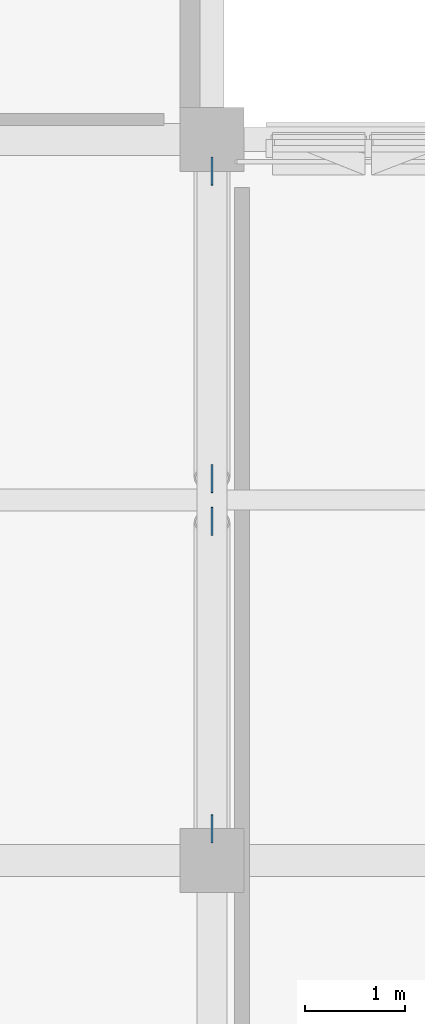
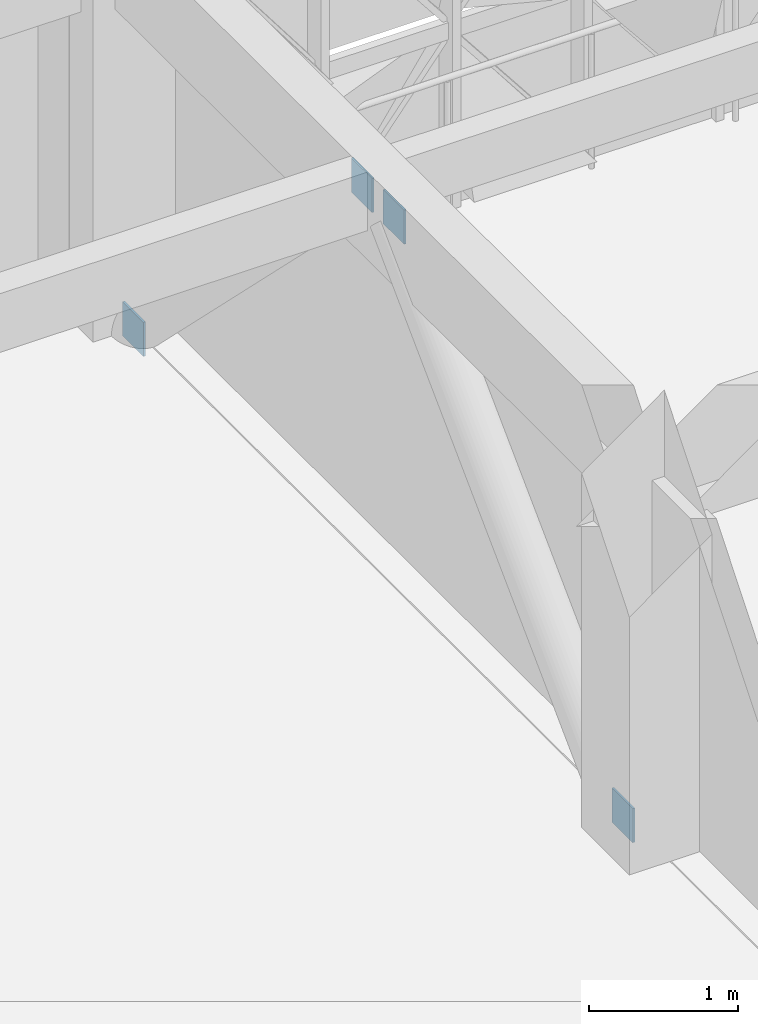
# One storey, part 43 of 85: 4 plates.
"""IFC4 building model written with IfcOpenShell, lengths in metres."""

from ifc_helpers import new_model, si_unit, direction, frame, origin, place, context, subcontext, project, spatial, polyline, outline, extrude, material, layer, layer_set, type_object, element, save


model = new_model("IFC4")

# Units and contexts
model_context = context("Model", 3, precision=1e-05, world=origin(), true_north=direction((0.0, 1.0)))
body_context = subcontext(model_context, "Body", "Model", "MODEL_VIEW")
ifc_project = project(units=[si_unit("LENGTHUNIT", "METRE"), si_unit("AREAUNIT", "SQUARE_METRE"), si_unit("VOLUMEUNIT", "CUBIC_METRE"), si_unit("PLANEANGLEUNIT", "RADIAN"), si_unit("MASSUNIT", "GRAM", prefix="KILO")], contexts=[model_context])

# Site, building, storey
site_placement = place(None, origin())
site = spatial("IfcSite", under=ifc_project, at=site_placement, CompositionType="ELEMENT")
building_placement = place(site_placement, origin())
building = spatial("IfcBuilding", under=site, at=building_placement, Name="Alvorim Cloister Faculty of Sciences", CompositionType="ELEMENT")
storey_placement = place(building_placement, frame((0.0, 0.0, 8.550048828125)))
storey = spatial("IfcBuildingStorey", under=building, at=storey_placement, Name="L02", CompositionType="ELEMENT", Elevation=8.550048828125)

# Plates
ifc_material = material(Name="Steel ASTM A572 Grade 50", Category="steel")
ifc_layer = layer(ifc_material, 0.01611328125)
ifc_layer_set = layer_set([ifc_layer], Name="Steel ASTM A572 Grade 50")
plate_type = type_object("IfcPlateType", Name="PL-CAP-16", PredefinedType="SHEET", material=ifc_layer_set)
for number, where, z_axis, x_axis, name in (
    (1, (28.800048828125, 49.374267578125, -0.145751953125), (0.0, 0.0, 1.0), (0.0, 1.0, 0.0), "Hollow Steel End Plate ND-06"),
    (2, (28.800048828125, 52.44580078125, 2.8955078125), (0.0, 0.0, 1.0), (0.0, 1.0, 0.0), "Hollow Steel End Plate ND-06"),
    (3, (28.800048828125, 56.2255859375, -0.145751953125), (0.0, 0.0, 1.0), (0.0, -1.0, 0.0), "Hollow Steel End Plate ND-06"),
    (4, (28.800048828125, 53.154296875, 2.8955078125), (0.0, 0.0, 1.0), (0.0, -1.0, 0.0), "Hollow Steel End Plate ND-06"),
):
    element("IfcPlate", number, at=place(storey_placement, frame(where, z_axis=z_axis, x_axis=x_axis)), inside=storey, type_object=plate_type, Name=name, PredefinedType="SHEET", context=body_context, shape_type="SweptSolid", body=[
        extrude(outline(polyline([(0.0, 0.0), (0.280029296875, 0.0), (0.280029296875, 0.280029296875), (0.0, 0.280029296875), (0.0, 0.0)])), frame((0.0, 0.008056640625, 0.0), z_axis=(0.0, -1.0, 0.0), x_axis=(1.0, 0.0, 0.0)), (0.0, 0.0, 1.0), 0.01611328125),
    ])

save(model, "model.ifc")
